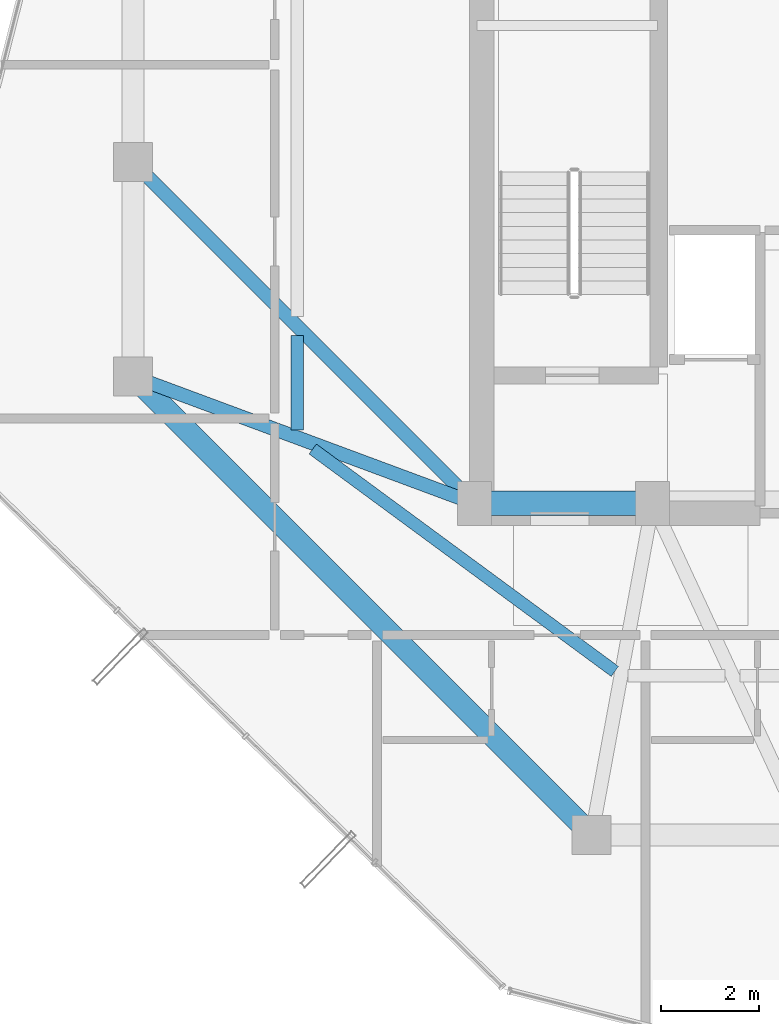
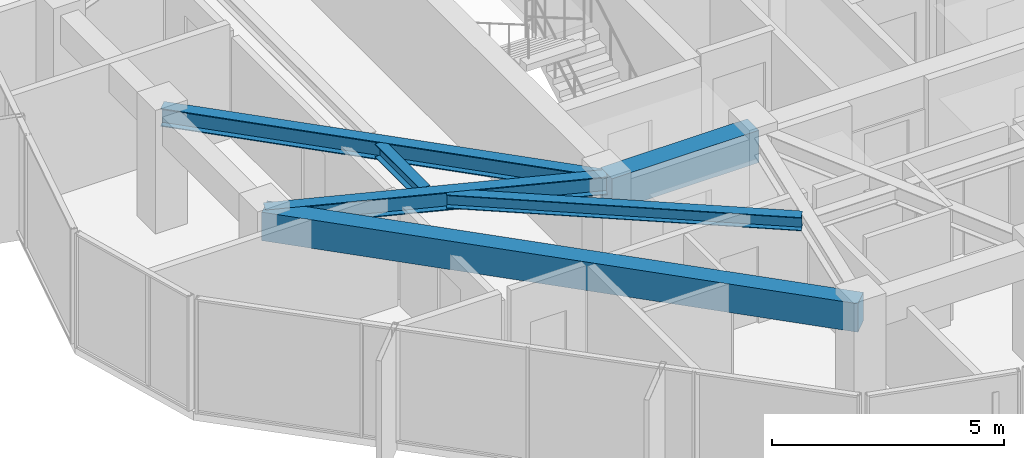
# One storey, part 7 of 29: 6 beams.
"""IFC4 building model written with IfcOpenShell, lengths in metres."""

from ifc_helpers import new_model, si_unit, direction, frame, origin, origin_2d, place, context, subcontext, project, spatial, rectangle, i_section, extrude, material, material_profile, profile_set, type_object, element, save


model = new_model("IFC4")

# Units and contexts
model_context = context("Model", 3, precision=1e-05, world=origin(), true_north=direction((0.0, 1.0)))
body_context = subcontext(model_context, "Body", "Model", "MODEL_VIEW")
ifc_project = project(units=[si_unit("LENGTHUNIT", "METRE"), si_unit("AREAUNIT", "SQUARE_METRE"), si_unit("VOLUMEUNIT", "CUBIC_METRE"), si_unit("PLANEANGLEUNIT", "RADIAN"), si_unit("MASSUNIT", "GRAM", prefix="KILO")], contexts=[model_context])

# Site, building, storey
site_placement = place(None, origin())
site = spatial("IfcSite", under=ifc_project, at=site_placement, CompositionType="ELEMENT")
building_placement = place(site_placement, origin())
building = spatial("IfcBuilding", under=site, at=building_placement, Name="Veraguas Prism Commons", CompositionType="ELEMENT")
storey_placement = place(building_placement, frame((0.0, 0.0, 257.75)))
storey = spatial("IfcBuildingStorey", under=building, at=storey_placement, Name="L73", CompositionType="ELEMENT", Elevation=257.75)

# Beams
ifc_material_1 = material(Name="Concrete C50/60", Category="concrete")
ifc_material_profile_1 = material_profile(ifc_material_1, rectangle(XDim=0.5, YDim=0.85009765625, at=origin_2d()), Name="RC500X850")
ifc_profile_set_1 = profile_set([ifc_material_profile_1], Name="Concrete C50/60")
beam_type_1 = type_object("IfcBeamType", Name="Core Coupling Beam RC 500x850", PredefinedType="BEAM", material=ifc_profile_set_1)
beam_1_placement = place(storey_placement, frame((17.199951171875, 17.0, 2.590087890625), z_axis=(1.0, 0.0, 0.0), x_axis=(0.0, 1.0, 0.0)))
element("IfcBeam", 1, at=beam_1_placement, inside=storey, type_object=beam_type_1, Name="Core Coupling Beam L73-CRS1", PredefinedType="BEAM", context=body_context, shape_type="SweptSolid", body=[
    extrude(rectangle(XDim=0.5, YDim=0.85009765625, at=origin_2d()), origin(), (0.0, 0.0, 1.0), 3.650146484375),
])
ifc_material_profile_2 = material_profile(ifc_material_1, rectangle(XDim=0.449951171875, YDim=0.75, at=origin_2d()), Name="RC450X750")
ifc_profile_set_2 = profile_set([ifc_material_profile_2], Name="Concrete C50/60")
beam_type_2 = type_object("IfcBeamType", Name="Perimeter Spandrel Upper RC 450x750", PredefinedType="SPANDREL", material=ifc_profile_set_2)
beam_2_placement = place(storey_placement, frame((10.199951171875, 19.60009765625, 2.639892578125), z_axis=(0.707106781187, -0.707106781187, 0.0), x_axis=(0.707106781187, 0.707106781187, 0.0)))
element("IfcBeam", 2, at=beam_2_placement, inside=storey, type_object=beam_type_2, Name="Perimeter Spandrel Beam L73-SP09", PredefinedType="SPANDREL", context=body_context, shape_type="SweptSolid", body=[
    extrude(rectangle(XDim=0.449951171875, YDim=0.75, at=origin_2d()), origin(), (0.0, 0.0, 1.0), 13.293701171875),
])
ifc_material_2 = material(Name="Steel ASTM A992 Grade 50", Category="steel")
ifc_material_profile_3 = material_profile(ifc_material_2, i_section(OverallWidth=0.25390625, OverallDepth=0.35302734375, WebThickness=0.009521484375, FlangeThickness=0.016357421875, at=origin_2d()), Name="W360X91")
ifc_profile_set_3 = profile_set([ifc_material_profile_3], Name="Steel ASTM A992 Grade 50")
beam_type_3 = type_object("IfcBeamType", Name="Upper Floor Joist W360x91", PredefinedType="JOIST", material=ifc_profile_set_3)
beam_3_placement = place(storey_placement, frame((13.56005859375, 20.442626953125, 2.83837890625), z_axis=(0.0, -1.0, 0.0), x_axis=(1.0, 0.0, 0.0)))
element("IfcBeam", 3, at=beam_3_placement, inside=storey, type_object=beam_type_3, Name="Composite Floor Joist L73-JS08", PredefinedType="JOIST", context=body_context, shape_type="SweptSolid", body=[
    extrude(i_section(OverallWidth=0.25390625, OverallDepth=0.35302734375, WebThickness=0.009521484375, FlangeThickness=0.016357421875, at=origin_2d()), origin(), (0.0, 0.0, 1.0), 1.94189453125),
])
beam_4_placement = place(storey_placement, frame((13.881103515625, 18.11572265625, 2.83837890625), z_axis=(0.805319835229, -0.592840588174, 0.0), x_axis=(0.592840588174, 0.805319835229, 0.0)))
element("IfcBeam", 4, at=beam_4_placement, inside=storey, type_object=beam_type_3, Name="Composite Floor Joist L73-JS09", PredefinedType="JOIST", context=body_context, shape_type="SweptSolid", body=[
    extrude(i_section(OverallWidth=0.25390625, OverallDepth=0.35302734375, WebThickness=0.009521484375, FlangeThickness=0.016357421875, at=origin_2d()), origin(), (0.0, 0.0, 1.0), 7.69140625),
])
ifc_material_profile_4 = material_profile(ifc_material_2, i_section(OverallWidth=0.282958984375, OverallDepth=0.471923828125, WebThickness=0.013671875, FlangeThickness=0.022216796875, at=origin_2d()), Name="W460X144")
ifc_profile_set_4 = profile_set([ifc_material_profile_4], Name="Steel ASTM A992 Grade 50")
beam_type_4 = type_object("IfcBeamType", Name="Zone 4 Radial Girder W460x144", PredefinedType="BEAM", material=ifc_profile_set_4)
beam_5_placement = place(storey_placement, frame((10.199951171875, 24.0, 2.779052734375), z_axis=(0.707106781187, -0.707106781187, 0.0), x_axis=(0.707106781187, 0.707106781187, 0.0)))
element("IfcBeam", 5, at=beam_5_placement, inside=storey, type_object=beam_type_4, Name="Radial Floor Girder L73-RD08", PredefinedType="BEAM", context=body_context, shape_type="SweptSolid", body=[
    extrude(i_section(OverallWidth=0.282958984375, OverallDepth=0.471923828125, WebThickness=0.013671875, FlangeThickness=0.022216796875, at=origin_2d()), origin(), (0.0, 0.0, 1.0), 9.8994140625),
])
beam_6_placement = place(storey_placement, frame((10.199951171875, 19.60009765625, 2.779052734375), z_axis=(0.937421003341, -0.348198021958, 0.0), x_axis=(0.348198021958, 0.937421003341, 0.0)))
element("IfcBeam", 6, at=beam_6_placement, inside=storey, type_object=beam_type_4, Name="Radial Floor Girder L73-RD09", PredefinedType="BEAM", context=body_context, shape_type="SweptSolid", body=[
    extrude(i_section(OverallWidth=0.282958984375, OverallDepth=0.471923828125, WebThickness=0.013671875, FlangeThickness=0.022216796875, at=origin_2d()), origin(), (0.0, 0.0, 1.0), 7.46728515625),
])

save(model, "model.ifc")
